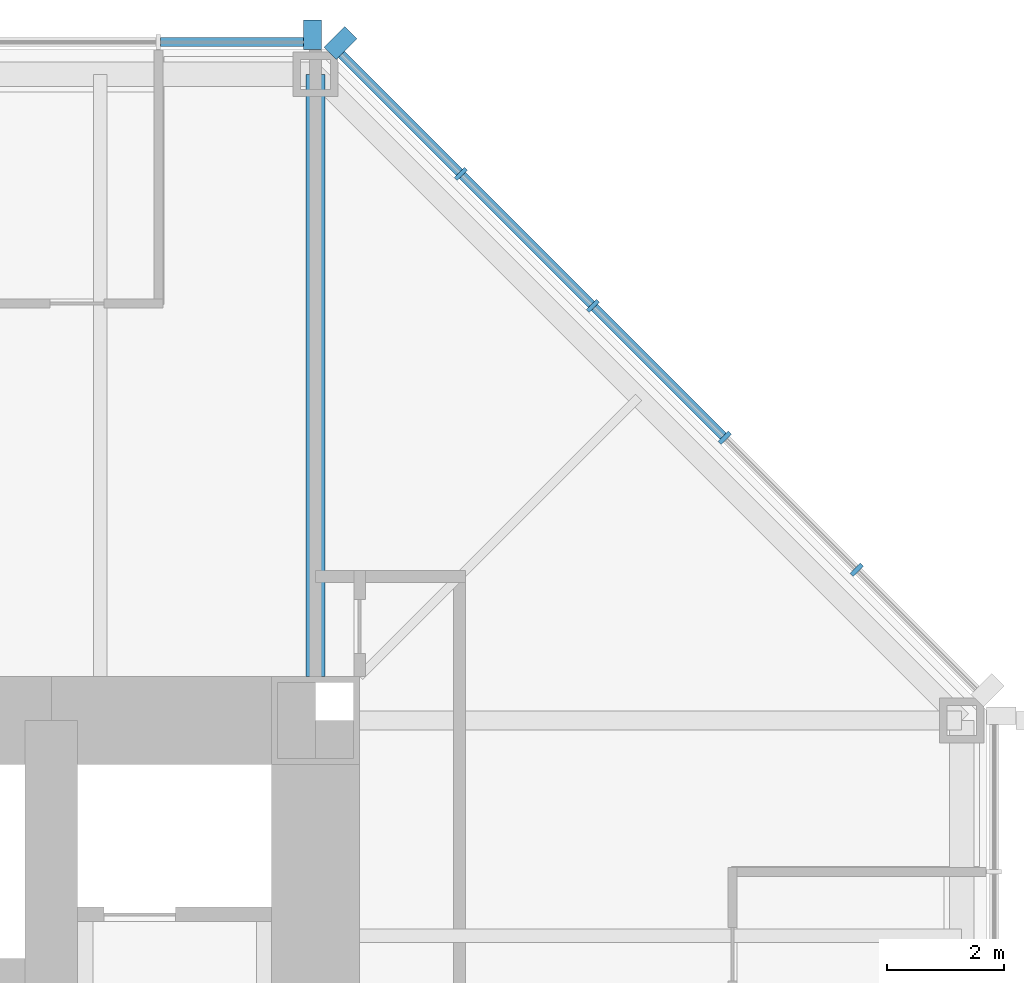
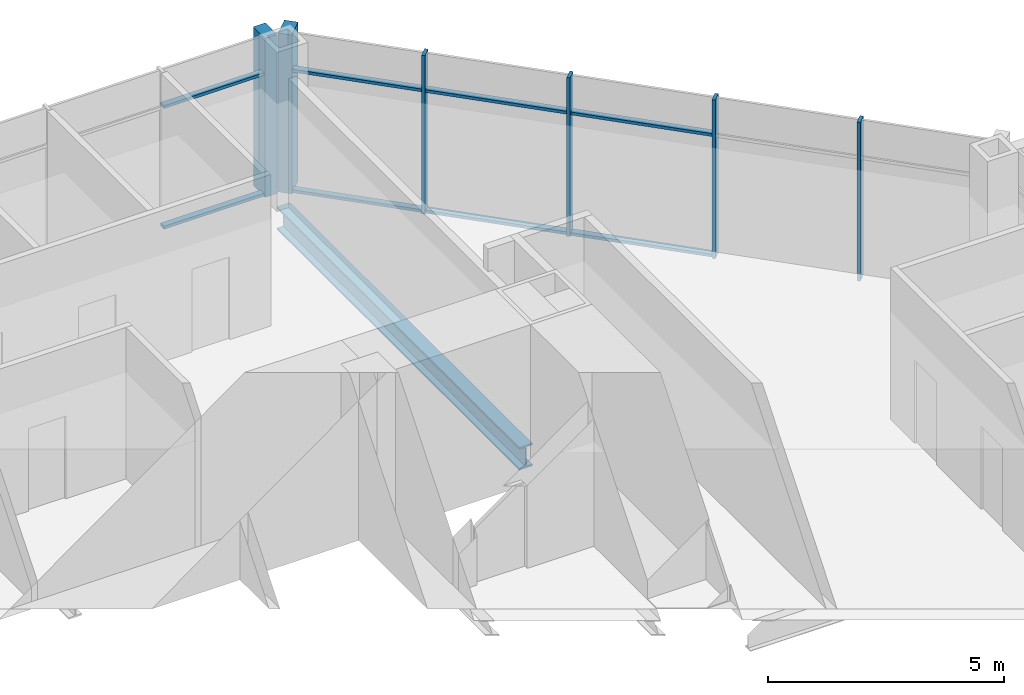
# One storey, part 6 of 14: 14 members, 1 beam, 2 elements without a shape of their own.
"""IFC4 building model written with IfcOpenShell, lengths in metres."""

from ifc_helpers import new_model, si_unit, direction, frame, origin, origin_2d, place, context, subcontext, project, spatial, rectangle, i_section, extrude, material, material_profile, profile_set, type_object, element, aggregate, save


model = new_model("IFC4")

# Units and contexts
model_context = context("Model", 3, precision=1e-05, world=origin(), true_north=direction((0.0, 1.0)))
body_context = subcontext(model_context, "Body", "Model", "MODEL_VIEW")
ifc_project = project(units=[si_unit("LENGTHUNIT", "METRE"), si_unit("AREAUNIT", "SQUARE_METRE"), si_unit("VOLUMEUNIT", "CUBIC_METRE"), si_unit("PLANEANGLEUNIT", "RADIAN"), si_unit("MASSUNIT", "GRAM", prefix="KILO")], contexts=[model_context])

# Site, building, storey
site_placement = place(None, origin())
site = spatial("IfcSite", under=ifc_project, at=site_placement, CompositionType="ELEMENT")
building_placement = place(site_placement, origin())
building = spatial("IfcBuilding", under=site, at=building_placement, Name="Trevanion Tower", CompositionType="ELEMENT")
storey_placement = place(building_placement, frame((0.0, 0.0, 109.0)))
storey = spatial("IfcBuildingStorey", under=building, at=storey_placement, Name="L25", CompositionType="ELEMENT", Elevation=109.0)

# Curtain wall, members
ifc_material_1 = material(Name="Aluminium and glass", Category="aluminium")
curtain_wall_type = type_object("IfcCurtainWallType", Name="CW2 curtain wall", PredefinedType="USERDEFINED", material=ifc_material_1)
curtain_wall_1_placement = place(storey_placement, origin())
curtain_wall_1 = element("IfcCurtainWall", 1, at=curtain_wall_1_placement, inside=storey, type_object=curtain_wall_type, Name="CW2 L25 1", ObjectType="UNITISED CURTAIN WALL", PredefinedType="USERDEFINED")
ifc_material_2 = material(Name="Aluminium extrusion, anodised bronze", Category="aluminium")
ifc_material_profile_1 = material_profile(ifc_material_2, rectangle(XDim=0.074951171875, YDim=0.25, at=origin_2d()), Name="CW2 mullion")
ifc_profile_set_1 = profile_set([ifc_material_profile_1], Name="Aluminium extrusion, anodised bronze")
member_type_1 = type_object("IfcMemberType", Name="CW2 mullion", PredefinedType="MULLION", material=ifc_profile_set_1)
member_1_placement = place(storey_placement, frame((20.2119140625, 13.56591796875, -0.18994140625), z_axis=(0.0, 0.0, 1.0), x_axis=(-0.707106781187, 0.707106781187, 0.0)))
member_1 = element("IfcMember", 2, at=member_1_placement, type_object=member_type_1, Name="CW2 mullion 2", PredefinedType="MULLION", context=body_context, shape_type="SweptSolid", body=[
    extrude(rectangle(XDim=0.074951171875, YDim=0.25, at=origin_2d()), origin(), (0.0, 0.0, 1.0), 4.099853515625),
])
member_2_placement = place(storey_placement, frame((17.966064453125, 15.811767578125, -0.18994140625), z_axis=(0.0, 0.0, 1.0), x_axis=(-0.707106781187, 0.707106781187, 0.0)))
member_2 = element("IfcMember", 3, at=member_2_placement, type_object=member_type_1, Name="CW2 mullion 3", PredefinedType="MULLION", context=body_context, shape_type="SweptSolid", body=[
    extrude(rectangle(XDim=0.074951171875, YDim=0.25, at=origin_2d()), origin(), (0.0, 0.0, 1.0), 4.099853515625),
])
member_3_placement = place(storey_placement, frame((15.719970703125, 18.057861328125, -0.18994140625), z_axis=(0.0, 0.0, 1.0), x_axis=(-0.707106781187, 0.707106781187, 0.0)))
member_3 = element("IfcMember", 4, at=member_3_placement, type_object=member_type_1, Name="CW2 mullion 4", PredefinedType="MULLION", context=body_context, shape_type="SweptSolid", body=[
    extrude(rectangle(XDim=0.074951171875, YDim=0.25, at=origin_2d()), origin(), (0.0, 0.0, 1.0), 4.099853515625),
])
member_4_placement = place(storey_placement, frame((13.473876953125, 20.303955078125, -0.18994140625), z_axis=(0.0, 0.0, 1.0), x_axis=(-0.707106781187, 0.707106781187, 0.0)))
member_4 = element("IfcMember", 5, at=member_4_placement, type_object=member_type_1, Name="CW2 mullion 5", PredefinedType="MULLION", context=body_context, shape_type="SweptSolid", body=[
    extrude(rectangle(XDim=0.074951171875, YDim=0.25, at=origin_2d()), origin(), (0.0, 0.0, 1.0), 4.099853515625),
])
ifc_material_3 = material(Name="Aluminium extrusion, anodised bronze", Category="aluminium")
ifc_material_profile_2 = material_profile(ifc_material_3, rectangle(XDim=0.300048828125, YDim=0.5, at=origin_2d()), Name="CW2 pier mullion")
ifc_profile_set_2 = profile_set([ifc_material_profile_2], Name="Aluminium extrusion, anodised bronze")
member_type_2 = type_object("IfcMemberType", Name="CW2 pier mullion", PredefinedType="MULLION", material=ifc_profile_set_2)
member_5_placement = place(storey_placement, frame((11.42236328125, 22.5322265625, -0.18994140625), z_axis=(0.0, 0.0, 1.0), x_axis=(-0.707106781187, 0.707106781187, 0.0)))
member_5 = element("IfcMember", 6, at=member_5_placement, type_object=member_type_2, Name="CW2 pier mullion 6", PredefinedType="MULLION", context=body_context, shape_type="SweptSolid", body=[
    extrude(rectangle(XDim=0.300048828125, YDim=0.5, at=origin_2d()), origin(), (0.0, 0.0, 1.0), 4.099853515625),
])

# Curtain wall, member
curtain_wall_2_placement = place(storey_placement, origin())
curtain_wall_2 = element("IfcCurtainWall", 7, at=curtain_wall_2_placement, inside=storey, type_object=curtain_wall_type, Name="CW2 L25 2", ObjectType="UNITISED CURTAIN WALL", PredefinedType="USERDEFINED")
member_6_placement = place(storey_placement, frame((10.94775390625, 22.675048828125, -0.18994140625), z_axis=(0.0, 0.0, 1.0), x_axis=(-1.0, 0.0, 0.0)))
member_6 = element("IfcMember", 8, at=member_6_placement, type_object=member_type_2, Name="CW2 pier mullion 1", PredefinedType="MULLION", context=body_context, shape_type="SweptSolid", body=[
    extrude(rectangle(XDim=0.300048828125, YDim=0.5, at=origin_2d()), origin(), (0.0, 0.0, 1.0), 4.099853515625),
])

# Member
ifc_material_4 = material(Name="Aluminium extrusion, anodised bronze", Category="aluminium")
ifc_material_profile_3 = material_profile(ifc_material_4, rectangle(XDim=0.14990234375, YDim=0.074951171875, at=origin_2d()), Name="CW2 transom")
ifc_profile_set_3 = profile_set([ifc_material_profile_3], Name="Aluminium extrusion, anodised bronze")
member_type_3 = type_object("IfcMemberType", Name="CW2 transom", PredefinedType="USERDEFINED", material=ifc_profile_set_3)
member_7_placement = place(storey_placement, frame((17.939453125, 15.83837890625, -0.152587890625), z_axis=(-0.707106781187, 0.707106781187, 0.0), x_axis=(-0.707106781187, -0.707106781187, 0.0)))
member_7 = element("IfcMember", 9, at=member_7_placement, type_object=member_type_3, Name="CW2 transom 3.1", ObjectType="TRANSOM", PredefinedType="USERDEFINED", context=body_context, shape_type="SweptSolid", body=[
    extrude(rectangle(XDim=0.14990234375, YDim=0.074951171875, at=origin_2d()), origin(), (0.0, 0.0, 1.0), 3.1015625),
])

member_8_placement = place(storey_placement, frame((17.939453125, 15.83837890625, 2.9599609375), z_axis=(-0.707106781187, 0.707106781187, 0.0), x_axis=(-0.707106781187, -0.707106781187, 0.0)))
member_8 = element("IfcMember", 10, at=member_8_placement, type_object=member_type_3, Name="CW2 transom 3.2", ObjectType="TRANSOM", PredefinedType="USERDEFINED", context=body_context, shape_type="SweptSolid", body=[
    extrude(rectangle(XDim=0.14990234375, YDim=0.074951171875, at=origin_2d()), origin(), (0.0, 0.0, 1.0), 3.1015625),
])

member_9_placement = place(storey_placement, frame((15.693359375, 18.08447265625, -0.152587890625), z_axis=(-0.707106781187, 0.707106781187, 0.0), x_axis=(-0.707106781187, -0.707106781187, 0.0)))
member_9 = element("IfcMember", 11, at=member_9_placement, type_object=member_type_3, Name="CW2 transom 4.1", ObjectType="TRANSOM", PredefinedType="USERDEFINED", context=body_context, shape_type="SweptSolid", body=[
    extrude(rectangle(XDim=0.14990234375, YDim=0.074951171875, at=origin_2d()), origin(), (0.0, 0.0, 1.0), 3.10107421875),
])

member_10_placement = place(storey_placement, frame((15.693359375, 18.08447265625, 2.9599609375), z_axis=(-0.707106781187, 0.707106781187, 0.0), x_axis=(-0.707106781187, -0.707106781187, 0.0)))
member_10 = element("IfcMember", 12, at=member_10_placement, type_object=member_type_3, Name="CW2 transom 4.2", ObjectType="TRANSOM", PredefinedType="USERDEFINED", context=body_context, shape_type="SweptSolid", body=[
    extrude(rectangle(XDim=0.14990234375, YDim=0.074951171875, at=origin_2d()), origin(), (0.0, 0.0, 1.0), 3.10107421875),
])

member_11_placement = place(storey_placement, frame((13.447509765625, 20.33056640625, -0.152587890625), z_axis=(-0.707149778163, 0.707063781595, 0.0), x_axis=(-0.707063781595, -0.707149778163, 0.0)))
member_11 = element("IfcMember", 13, at=member_11_placement, type_object=member_type_3, Name="CW2 transom 5.1", ObjectType="TRANSOM", PredefinedType="USERDEFINED", context=body_context, shape_type="SweptSolid", body=[
    extrude(rectangle(XDim=0.14990234375, YDim=0.074951171875, at=origin_2d()), origin(), (0.0, 0.0, 1.0), 2.8388671875),
])

member_12_placement = place(storey_placement, frame((13.447509765625, 20.33056640625, 2.9599609375), z_axis=(-0.707149778163, 0.707063781595, 0.0), x_axis=(-0.707063781595, -0.707149778163, 0.0)))
member_12 = element("IfcMember", 14, at=member_12_placement, type_object=member_type_3, Name="CW2 transom 5.2", ObjectType="TRANSOM", PredefinedType="USERDEFINED", context=body_context, shape_type="SweptSolid", body=[
    extrude(rectangle(XDim=0.14990234375, YDim=0.074951171875, at=origin_2d()), origin(), (0.0, 0.0, 1.0), 2.8388671875),
])

aggregate(curtain_wall_1, [member_1, member_2, member_3, member_4, member_5, member_7, member_8, member_9, member_10, member_11, member_12])

member_13_placement = place(storey_placement, frame((10.7978515625, 22.550048828125, -0.152587890625), z_axis=(-1.0, 0.0, 0.0), x_axis=(0.0, -1.0, 0.0)))
member_13 = element("IfcMember", 15, at=member_13_placement, type_object=member_type_3, Name="CW2 transom 1.1", ObjectType="TRANSOM", PredefinedType="USERDEFINED", context=body_context, shape_type="SweptSolid", body=[
    extrude(rectangle(XDim=0.14990234375, YDim=0.074951171875, at=origin_2d()), origin(), (0.0, 0.0, 1.0), 2.43701171875),
])

member_14_placement = place(storey_placement, frame((10.7978515625, 22.550048828125, 2.9599609375), z_axis=(-1.0, 0.0, 0.0), x_axis=(0.0, -1.0, 0.0)))
member_14 = element("IfcMember", 16, at=member_14_placement, type_object=member_type_3, Name="CW2 transom 1.2", ObjectType="TRANSOM", PredefinedType="USERDEFINED", context=body_context, shape_type="SweptSolid", body=[
    extrude(rectangle(XDim=0.14990234375, YDim=0.074951171875, at=origin_2d()), origin(), (0.0, 0.0, 1.0), 2.43701171875),
])

aggregate(curtain_wall_2, [member_6, member_13, member_14])

# Beam
ifc_material_5 = material(Name="Steel ASTM A992 Grade 50", Category="steel")
ifc_material_profile_4 = material_profile(ifc_material_5, i_section(OverallWidth=0.320068359375, OverallDepth=0.584228515625, WebThickness=0.023193359375, FlangeThickness=0.04150390625, at=origin_2d()), Name="W21X201")
ifc_profile_set_4 = profile_set([ifc_material_profile_4], Name="Steel ASTM A992 Grade 50")
beam_type = type_object("IfcBeamType", Name="G4 W21X201", PredefinedType="BEAM", material=ifc_profile_set_4)
beam_placement = place(storey_placement, frame((11.0, 11.75, -0.482177734375), z_axis=(0.0, 1.0, 0.0), x_axis=(-1.0, 0.0, 0.0)))
element("IfcBeam", 17, at=beam_placement, inside=storey, type_object=beam_type, Name="G4 L25", PredefinedType="BEAM", context=body_context, shape_type="SweptSolid", body=[
    extrude(i_section(OverallWidth=0.320068359375, OverallDepth=0.584228515625, WebThickness=0.023193359375, FlangeThickness=0.04150390625, at=origin_2d()), origin(), (0.0, 0.0, 1.0), 10.25),
])

save(model, "model.ifc")
